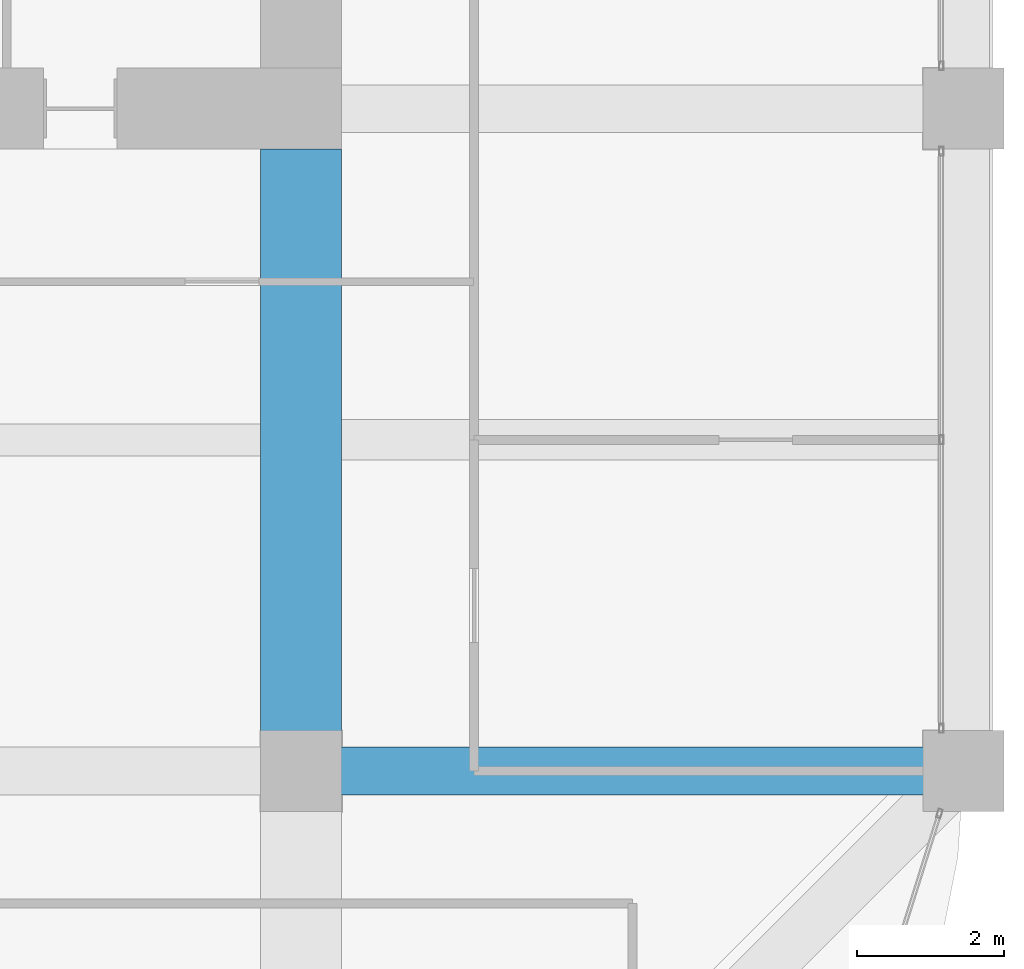
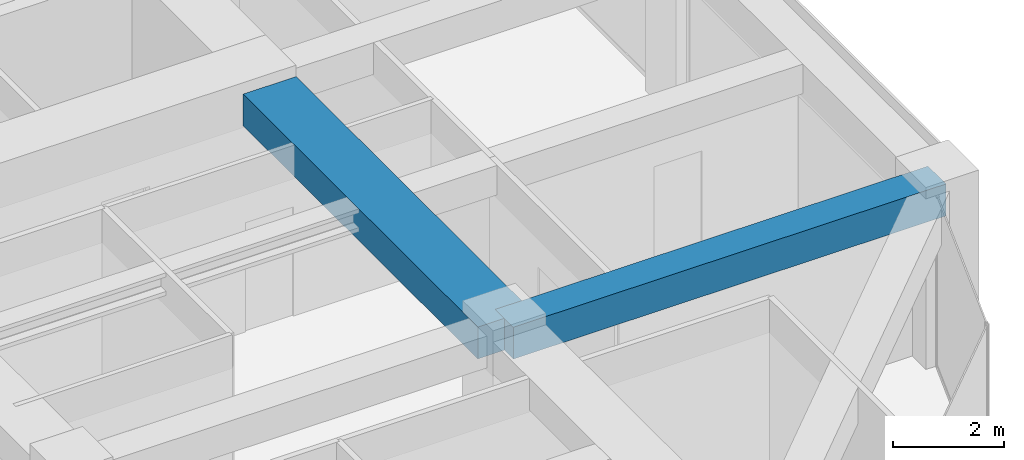
# One storey, part 21 of 44: 2 beams.
"""IFC4 building model written with IfcOpenShell, lengths in metres."""

from ifc_helpers import new_model, si_unit, direction, frame, origin, origin_2d, place, context, subcontext, project, spatial, rectangle, extrude, material, material_profile, profile_set, type_object, element, save


model = new_model("IFC4")

# Units and contexts
model_context = context("Model", 3, precision=1e-05, world=origin(), true_north=direction((0.0, 1.0)))
body_context = subcontext(model_context, "Body", "Model", "MODEL_VIEW")
ifc_project = project(units=[si_unit("LENGTHUNIT", "METRE"), si_unit("AREAUNIT", "SQUARE_METRE"), si_unit("VOLUMEUNIT", "CUBIC_METRE"), si_unit("PLANEANGLEUNIT", "RADIAN"), si_unit("MASSUNIT", "GRAM", prefix="KILO")], contexts=[model_context])

# Site, building, storey
site_placement = place(None, origin())
site = spatial("IfcSite", under=ifc_project, at=site_placement, CompositionType="ELEMENT")
building_placement = place(site_placement, origin())
building = spatial("IfcBuilding", under=site, at=building_placement, Name="Zorevar Civic Tower", CompositionType="ELEMENT")
storey_placement = place(building_placement, frame((0.0, 0.0, 299.39990234375)))
storey = spatial("IfcBuildingStorey", under=building, at=storey_placement, Name="L73", CompositionType="ELEMENT", Elevation=299.39990234375)

# Beams
ifc_material_1 = material(Name="Concrete C50/60", Category="concrete")
ifc_material_profile_1 = material_profile(ifc_material_1, rectangle(XDim=1.10009765625, YDim=0.699951171875, at=origin_2d()), Name="RC 1100x700")
ifc_profile_set_1 = profile_set([ifc_material_profile_1], Name="Concrete C50/60")
beam_type_1 = type_object("IfcBeamType", Name="Beam RC 1100x700", PredefinedType="BEAM", material=ifc_profile_set_1)
beam_1_placement = place(storey_placement, frame((45.0, 9.0, 3.400146484375), z_axis=(0.0, 1.0, 0.0), x_axis=(-1.0, 0.0, 0.0)))
element("IfcBeam", 1, at=beam_1_placement, inside=storey, type_object=beam_type_1, Name="Girder L74", PredefinedType="BEAM", context=body_context, shape_type="SweptSolid", body=[
    extrude(rectangle(XDim=1.10009765625, YDim=0.699951171875, at=origin_2d()), origin(), (0.0, 0.0, 1.0), 8.449951171875),
])
ifc_material_2 = material(Name="Concrete C50/60", Category="concrete")
ifc_material_profile_2 = material_profile(ifc_material_2, rectangle(XDim=0.64990234375, YDim=0.699951171875, at=origin_2d()), Name="RC 650x700")
ifc_profile_set_2 = profile_set([ifc_material_profile_2], Name="Concrete C50/60")
beam_type_2 = type_object("IfcBeamType", Name="Beam RC 650x700", PredefinedType="BEAM", material=ifc_profile_set_2)
beam_2_placement = place(storey_placement, frame((45.0, 9.0, 3.400146484375), z_axis=(1.0, 0.0, 0.0), x_axis=(0.0, 1.0, 0.0)))
element("IfcBeam", 2, at=beam_2_placement, inside=storey, type_object=beam_type_2, Name="Girder L74", PredefinedType="BEAM", context=body_context, shape_type="SweptSolid", body=[
    extrude(rectangle(XDim=0.64990234375, YDim=0.699951171875, at=origin_2d()), origin(), (0.0, 0.0, 1.0), 9.0),
])

save(model, "model.ifc")
